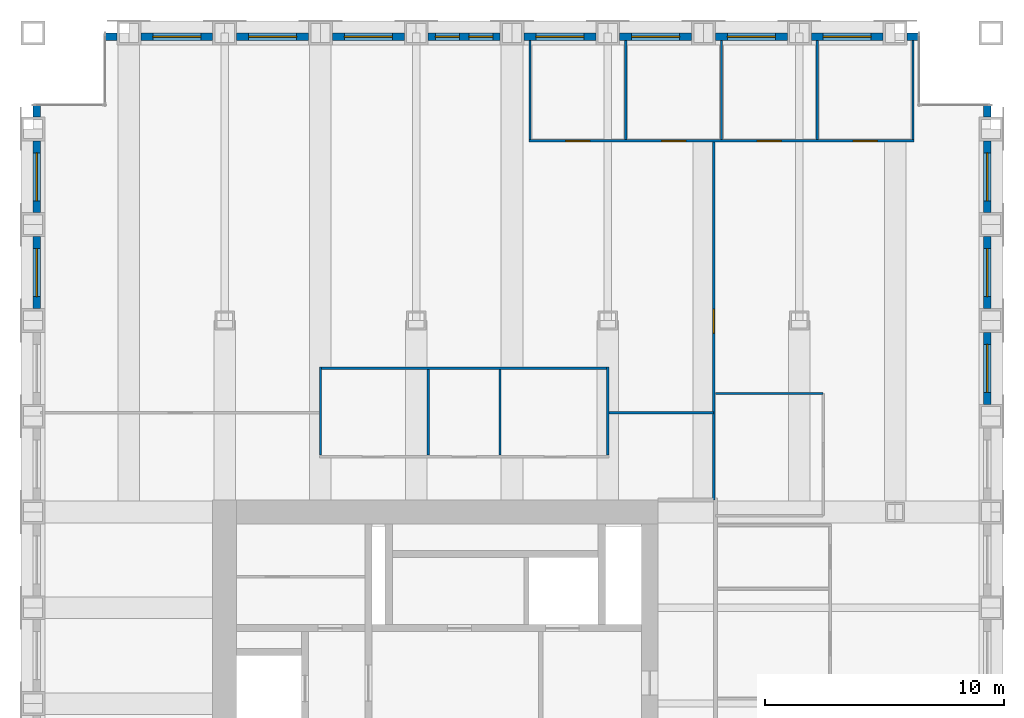
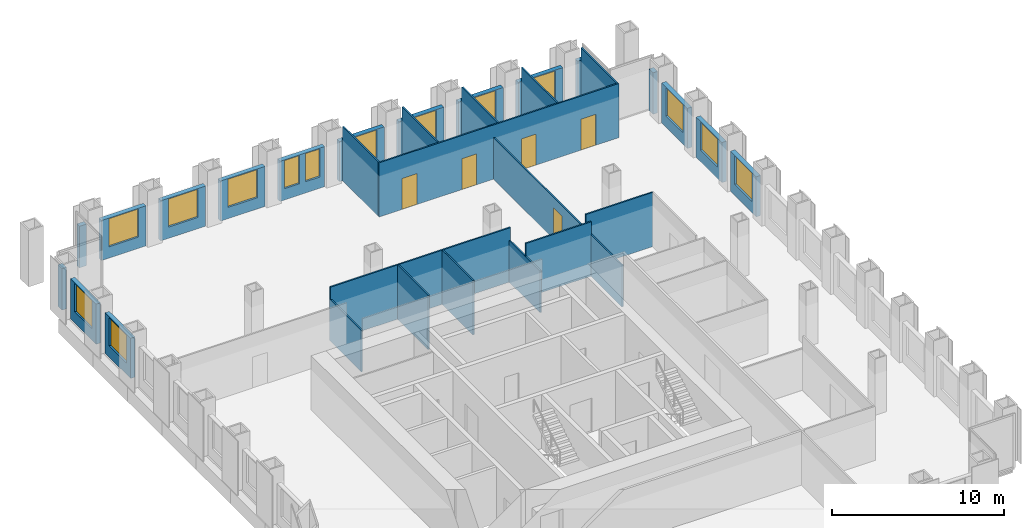
# One storey, part 11 of 13: 31 walls, 14 windows, 5 doors, 19 openings.
"""IFC4 building model written with IfcOpenShell, lengths in metres."""

from ifc_helpers import new_model, si_unit, direction, frame, frame_2d, origin, place, context, subcontext, project, spatial, rectangle, extrude, material, layer, layer_set, type_object, element, fill, save


model = new_model("IFC4")

# Units and contexts
model_context = context("Model", 3, precision=1e-05, world=origin(), true_north=direction((0.0, 1.0)))
body_context = subcontext(model_context, "Body", "Model", "MODEL_VIEW")
ifc_project = project(units=[si_unit("LENGTHUNIT", "METRE"), si_unit("AREAUNIT", "SQUARE_METRE"), si_unit("VOLUMEUNIT", "CUBIC_METRE"), si_unit("PLANEANGLEUNIT", "RADIAN"), si_unit("MASSUNIT", "GRAM", prefix="KILO")], contexts=[model_context])

# Site, building, storey
site_placement = place(None, origin())
site = spatial("IfcSite", under=ifc_project, at=site_placement, CompositionType="ELEMENT")
building_placement = place(site_placement, origin())
building = spatial("IfcBuilding", under=site, at=building_placement, Name="Rimbunsela Tower", CompositionType="ELEMENT")
storey_placement = place(building_placement, frame((0.0, 0.0, 218.199951171875)))
storey = spatial("IfcBuildingStorey", under=building, at=storey_placement, Name="L52", CompositionType="ELEMENT", Elevation=218.199951171875)

# Wall, openings, doors
ifc_material_1 = material(Name="Gypsum board on steel studs", Category="steel")
ifc_layer_1 = layer(ifc_material_1, 0.10009765625)
ifc_layer_set_1 = layer_set([ifc_layer_1], Name="Office partition 100")
wall_type_1 = type_object("IfcWallType", Name="Office partition 100", PredefinedType="PARTITIONING", material=ifc_layer_set_1)
wall_1_placement = place(storey_placement, frame((30.699951171875, 51.5, 0.0), z_axis=(0.0, 0.0, 1.0), x_axis=(1.0, 0.0, 0.0)))
wall_1 = element("IfcWall", 1, at=wall_1_placement, inside=storey, type_object=wall_type_1, Name="Office partition", PredefinedType="PARTITIONING", context=body_context, shape_type="SweptSolid", body=[
    extrude(rectangle(XDim=16.10009765625, YDim=0.10009765625, at=frame_2d((8.050048828125, 0.0))), origin(), (0.0, 0.0, 1.0), 3.85009765625),
])
opening_1_placement = place(wall_1_placement, frame((1.550048828125, 0.0, 0.0)))
opening_1 = element("IfcOpeningElement", 2, at=opening_1_placement, cuts=wall_1, Name="Opening D16", PredefinedType="OPENING", context=body_context, shape_type="SweptSolid", body=[
    extrude(rectangle(XDim=1.0, YDim=2.199951171875, at=frame_2d((0.5, 1.10009765625))), frame((0.0, 0.06005859375, 0.0), z_axis=(0.0, -1.0, 0.0), x_axis=(1.0, 0.0, 0.0)), (0.0, 0.0, 1.0), 0.1201171875),
])
opening_2_placement = place(wall_1_placement, frame((5.550048828125, 0.0, 0.0)))
opening_2 = element("IfcOpeningElement", 3, at=opening_2_placement, cuts=wall_1, Name="Opening D16", PredefinedType="OPENING", context=body_context, shape_type="SweptSolid", body=[
    extrude(rectangle(XDim=1.0, YDim=2.199951171875, at=frame_2d((0.5, 1.10009765625))), frame((0.0, 0.06005859375, 0.0), z_axis=(0.0, -1.0, 0.0), x_axis=(1.0, 0.0, 0.0)), (0.0, 0.0, 1.0), 0.1201171875),
])
opening_3_placement = place(wall_1_placement, frame((9.550048828125, 0.0, 0.0)))
opening_3 = element("IfcOpeningElement", 4, at=opening_3_placement, cuts=wall_1, Name="Opening D16", PredefinedType="OPENING", context=body_context, shape_type="SweptSolid", body=[
    extrude(rectangle(XDim=1.0, YDim=2.199951171875, at=frame_2d((0.5, 1.10009765625))), frame((0.0, 0.06005859375, 0.0), z_axis=(0.0, -1.0, 0.0), x_axis=(1.0, 0.0, 0.0)), (0.0, 0.0, 1.0), 0.1201171875),
])
opening_4_placement = place(wall_1_placement, frame((13.550048828125, 0.0, 0.0)))
opening_4 = element("IfcOpeningElement", 5, at=opening_4_placement, cuts=wall_1, Name="Opening D16", PredefinedType="OPENING", context=body_context, shape_type="SweptSolid", body=[
    extrude(rectangle(XDim=1.0, YDim=2.199951171875, at=frame_2d((0.5, 1.10009765625))), frame((0.0, 0.06005859375, 0.0), z_axis=(0.0, -1.0, 0.0), x_axis=(1.0, 0.0, 0.0)), (0.0, 0.0, 1.0), 0.1201171875),
])
ifc_material_2 = material(Name="Timber door", Category="wood")
door_type_1 = type_object("IfcDoorType", Name="Office door 1000", OperationType="SINGLE_SWING_LEFT", PredefinedType="DOOR", material=ifc_material_2)
door_1_placement = place(opening_1_placement, origin())
door_1 = element("IfcDoor", 6, at=door_1_placement, inside=storey, type_object=door_type_1, Name="Office door", OperationType="SINGLE_SWING_LEFT", OverallHeight=2.199951171875, OverallWidth=1.0, PredefinedType="DOOR", context=body_context, shape_type="SweptSolid", body=[
    extrude(rectangle(XDim=1.0, YDim=2.199951171875, at=frame_2d((0.5, 1.10009765625))), frame((0.0, 0.02490234375, 0.0), z_axis=(0.0, -1.0, 0.0), x_axis=(1.0, 0.0, 0.0)), (0.0, 0.0, 1.0), 0.050048828125),
])
fill(opening_1, door_1)
door_2_placement = place(opening_2_placement, origin())
door_2 = element("IfcDoor", 7, at=door_2_placement, inside=storey, type_object=door_type_1, Name="Office door", OperationType="SINGLE_SWING_LEFT", OverallHeight=2.199951171875, OverallWidth=1.0, PredefinedType="DOOR", context=body_context, shape_type="SweptSolid", body=[
    extrude(rectangle(XDim=1.0, YDim=2.199951171875, at=frame_2d((0.5, 1.10009765625))), frame((0.0, 0.02490234375, 0.0), z_axis=(0.0, -1.0, 0.0), x_axis=(1.0, 0.0, 0.0)), (0.0, 0.0, 1.0), 0.050048828125),
])
fill(opening_2, door_2)
door_3_placement = place(opening_3_placement, origin())
door_3 = element("IfcDoor", 8, at=door_3_placement, inside=storey, type_object=door_type_1, Name="Office door", OperationType="SINGLE_SWING_LEFT", OverallHeight=2.199951171875, OverallWidth=1.0, PredefinedType="DOOR", context=body_context, shape_type="SweptSolid", body=[
    extrude(rectangle(XDim=1.0, YDim=2.199951171875, at=frame_2d((0.5, 1.10009765625))), frame((0.0, 0.02490234375, 0.0), z_axis=(0.0, -1.0, 0.0), x_axis=(1.0, 0.0, 0.0)), (0.0, 0.0, 1.0), 0.050048828125),
])
fill(opening_3, door_3)
door_4_placement = place(opening_4_placement, origin())
door_4 = element("IfcDoor", 9, at=door_4_placement, inside=storey, type_object=door_type_1, Name="Office door", OperationType="SINGLE_SWING_LEFT", OverallHeight=2.199951171875, OverallWidth=1.0, PredefinedType="DOOR", context=body_context, shape_type="SweptSolid", body=[
    extrude(rectangle(XDim=1.0, YDim=2.199951171875, at=frame_2d((0.5, 1.10009765625))), frame((0.0, 0.02490234375, 0.0), z_axis=(0.0, -1.0, 0.0), x_axis=(1.0, 0.0, 0.0)), (0.0, 0.0, 1.0), 0.050048828125),
])
fill(opening_4, door_4)

# Walls
for number, where, z_axis, x_axis, name in (
    (10, (30.75, 51.550048828125, 0.0), (0.0, 0.0, 1.0), (0.0, 1.0, 0.0), "Office partition"),
    (11, (34.75, 51.550048828125, 0.0), (0.0, 0.0, 1.0), (0.0, 1.0, 0.0), "Office partition"),
    (12, (38.75, 51.550048828125, 0.0), (0.0, 0.0, 1.0), (0.0, 1.0, 0.0), "Office partition"),
    (13, (42.75, 51.550048828125, 0.0), (0.0, 0.0, 1.0), (0.0, 1.0, 0.0), "Office partition"),
    (14, (46.75, 51.550048828125, 0.0), (0.0, 0.0, 1.0), (0.0, 1.0, 0.0), "Office partition"),
):
    element("IfcWall", number, at=place(storey_placement, frame(where, z_axis=z_axis, x_axis=x_axis)), inside=storey, type_object=wall_type_1, Name=name, PredefinedType="PARTITIONING", context=body_context, shape_type="SweptSolid", body=[
        extrude(rectangle(XDim=4.14990234375, YDim=0.10009765625, at=frame_2d((2.074951171875, 0.0))), origin(), (0.0, 0.0, 1.0), 3.85009765625),
    ])

# Wall, opening, door
wall_2_placement = place(storey_placement, frame((38.425048828125, 51.449951171875, 0.0), z_axis=(0.0, 0.0, 1.0), x_axis=(0.0, -1.0, 0.0)))
wall_2 = element("IfcWall", 15, at=wall_2_placement, inside=storey, type_object=wall_type_1, Name="Office partition", PredefinedType="PARTITIONING", context=body_context, shape_type="SweptSolid", body=[
    extrude(rectangle(XDim=14.949951171875, YDim=0.10009765625, at=frame_2d((7.47509765625, 0.0))), origin(), (0.0, 0.0, 1.0), 2.949951171875),
])
opening_5_placement = place(wall_2_placement, frame((6.97509765625, 0.0, 0.0)))
opening_5 = element("IfcOpeningElement", 16, at=opening_5_placement, cuts=wall_2, Name="Opening D17", PredefinedType="OPENING", context=body_context, shape_type="SweptSolid", body=[
    extrude(rectangle(XDim=1.0, YDim=2.199951171875, at=frame_2d((0.5, 1.10009765625))), frame((0.0, 0.06005859375, 0.0), z_axis=(0.0, -1.0, 0.0), x_axis=(1.0, 0.0, 0.0)), (0.0, 0.0, 1.0), 0.1201171875),
])
ifc_material_3 = material(Name="Glazed aluminium door", Category="aluminium")
door_type_2 = type_object("IfcDoorType", Name="Meeting room door 1000 glazed", OperationType="SINGLE_SWING_RIGHT", PredefinedType="DOOR", material=ifc_material_3)
door_5_placement = place(opening_5_placement, origin())
door_5 = element("IfcDoor", 17, at=door_5_placement, inside=storey, type_object=door_type_2, Name="Open office screen door", OperationType="SINGLE_SWING_RIGHT", OverallHeight=2.199951171875, OverallWidth=1.0, PredefinedType="DOOR", context=body_context, shape_type="SweptSolid", body=[
    extrude(rectangle(XDim=1.0, YDim=2.199951171875, at=frame_2d((0.5, 1.10009765625))), frame((0.0, 0.02490234375, 0.0), z_axis=(0.0, -1.0, 0.0), x_axis=(1.0, 0.0, 0.0)), (0.0, 0.0, 1.0), 0.050048828125),
])
fill(opening_5, door_5)

# Walls
wall_3_placement = place(storey_placement, frame((34.0, 40.14990234375, 0.0), z_axis=(0.0, 0.0, 1.0), x_axis=(1.0, 0.0, 0.0)))
element("IfcWall", 18, at=wall_3_placement, inside=storey, type_object=wall_type_1, Name="Office partition", PredefinedType="PARTITIONING", context=body_context, shape_type="SweptSolid", body=[
    extrude(rectangle(XDim=4.425048828125, YDim=0.10009765625, at=frame_2d((2.21240234375, 0.0))), origin(), (0.0, 0.0, 1.0), 3.85009765625),
])
wall_4_placement = place(storey_placement, frame((43.0, 40.949951171875, 0.0), z_axis=(0.0, 0.0, 1.0), x_axis=(-1.0, 0.0, 0.0)))
element("IfcWall", 19, at=wall_4_placement, inside=storey, type_object=wall_type_1, Name="Office partition", PredefinedType="PARTITIONING", context=body_context, shape_type="SweptSolid", body=[
    extrude(rectangle(XDim=4.5, YDim=0.10009765625, at=frame_2d((2.25, 0.0))), origin(), (0.0, 0.0, 1.0), 3.85009765625),
])

# Wall, opening, window
ifc_material_4 = material(Name="Precast concrete fc' 35 MPa", Category="concrete")
ifc_layer_2 = layer(ifc_material_4, 0.300048828125)
ifc_layer_set_2 = layer_set([ifc_layer_2], Name="Precast concrete fc' 35 MPa")
wall_type_2 = type_object("IfcWallType", Name="Precast facade panel 300", PredefinedType="ELEMENTEDWALL", material=ifc_layer_set_2)
wall_5_placement = place(storey_placement, frame((49.85009765625, 40.5, 0.0), z_axis=(0.0, 0.0, 1.0), x_axis=(0.0, 1.0, 0.0)))
wall_5 = element("IfcWall", 20, at=wall_5_placement, inside=storey, type_object=wall_type_2, Name="Facade panel E L52", PredefinedType="ELEMENTEDWALL", context=body_context, shape_type="SweptSolid", body=[
    extrude(rectangle(XDim=3.0, YDim=0.300048828125, at=frame_2d((1.5, 0.0))), origin(), (0.0, 0.0, 1.0), 2.85009765625),
])
opening_6_placement = place(wall_5_placement, frame((0.5, 0.0, 0.800048828125)))
opening_6 = element("IfcOpeningElement", 21, at=opening_6_placement, cuts=wall_5, Name="Opening W1", PredefinedType="OPENING", context=body_context, shape_type="SweptSolid", body=[
    extrude(rectangle(XDim=2.0, YDim=2.0, at=frame_2d((1.0, 1.0))), frame((0.0, 0.159912109375, 0.0), z_axis=(0.0, -1.0, 0.0), x_axis=(1.0, 0.0, 0.0)), (0.0, 0.0, 1.0), 0.320068359375),
])
ifc_material_5 = material(Name="Clear glass in aluminium frame", Category="aluminium")
window_type_1 = type_object("IfcWindowType", Name="Window W1 2000x2000", PartitioningType="DOUBLE_PANEL_VERTICAL", PredefinedType="WINDOW", material=ifc_material_5)
window_1_placement = place(opening_6_placement, origin())
window_1 = element("IfcWindow", 22, at=window_1_placement, inside=storey, type_object=window_type_1, Name="Window L52", OverallHeight=2.0, OverallWidth=2.0, PartitioningType="SINGLE_PANEL", PredefinedType="WINDOW", context=body_context, shape_type="SweptSolid", body=[
    extrude(rectangle(XDim=2.0, YDim=2.0, at=frame_2d((1.0, 1.0))), frame((0.0, 0.030029296875, 0.0), z_axis=(0.0, -1.0, 0.0), x_axis=(1.0, 0.0, 0.0)), (0.0, 0.0, 1.0), 0.06005859375),
])
fill(opening_6, window_1)

wall_6_placement = place(storey_placement, frame((49.85009765625, 44.5, 0.0), z_axis=(0.0, 0.0, 1.0), x_axis=(0.0, 1.0, 0.0)))
wall_6 = element("IfcWall", 23, at=wall_6_placement, inside=storey, type_object=wall_type_2, Name="Facade panel E L52", PredefinedType="ELEMENTEDWALL", context=body_context, shape_type="SweptSolid", body=[
    extrude(rectangle(XDim=3.0, YDim=0.300048828125, at=frame_2d((1.5, 0.0))), origin(), (0.0, 0.0, 1.0), 2.85009765625),
])
opening_7_placement = place(wall_6_placement, frame((0.5, 0.0, 0.800048828125)))
opening_7 = element("IfcOpeningElement", 24, at=opening_7_placement, cuts=wall_6, Name="Opening W1", PredefinedType="OPENING", context=body_context, shape_type="SweptSolid", body=[
    extrude(rectangle(XDim=2.0, YDim=2.0, at=frame_2d((1.0, 1.0))), frame((0.0, 0.159912109375, 0.0), z_axis=(0.0, -1.0, 0.0), x_axis=(1.0, 0.0, 0.0)), (0.0, 0.0, 1.0), 0.320068359375),
])
window_2_placement = place(opening_7_placement, origin())
window_2 = element("IfcWindow", 25, at=window_2_placement, inside=storey, type_object=window_type_1, Name="Window L52", OverallHeight=2.0, OverallWidth=2.0, PartitioningType="SINGLE_PANEL", PredefinedType="WINDOW", context=body_context, shape_type="SweptSolid", body=[
    extrude(rectangle(XDim=2.0, YDim=2.0, at=frame_2d((1.0, 1.0))), frame((0.0, 0.030029296875, 0.0), z_axis=(0.0, -1.0, 0.0), x_axis=(1.0, 0.0, 0.0)), (0.0, 0.0, 1.0), 0.06005859375),
])
fill(opening_7, window_2)

wall_7_placement = place(storey_placement, frame((49.85009765625, 48.5, 0.0), z_axis=(0.0, 0.0, 1.0), x_axis=(0.0, 1.0, 0.0)))
wall_7 = element("IfcWall", 26, at=wall_7_placement, inside=storey, type_object=wall_type_2, Name="Facade panel E L52", PredefinedType="ELEMENTEDWALL", context=body_context, shape_type="SweptSolid", body=[
    extrude(rectangle(XDim=3.0, YDim=0.300048828125, at=frame_2d((1.5, 0.0))), origin(), (0.0, 0.0, 1.0), 2.85009765625),
])
opening_8_placement = place(wall_7_placement, frame((0.5, 0.0, 0.800048828125)))
opening_8 = element("IfcOpeningElement", 27, at=opening_8_placement, cuts=wall_7, Name="Opening W1", PredefinedType="OPENING", context=body_context, shape_type="SweptSolid", body=[
    extrude(rectangle(XDim=2.0, YDim=2.0, at=frame_2d((1.0, 1.0))), frame((0.0, 0.159912109375, 0.0), z_axis=(0.0, -1.0, 0.0), x_axis=(1.0, 0.0, 0.0)), (0.0, 0.0, 1.0), 0.320068359375),
])
window_3_placement = place(opening_8_placement, origin())
window_3 = element("IfcWindow", 28, at=window_3_placement, inside=storey, type_object=window_type_1, Name="Window L52", OverallHeight=2.0, OverallWidth=2.0, PartitioningType="SINGLE_PANEL", PredefinedType="WINDOW", context=body_context, shape_type="SweptSolid", body=[
    extrude(rectangle(XDim=2.0, YDim=2.0, at=frame_2d((1.0, 1.0))), frame((0.0, 0.030029296875, 0.0), z_axis=(0.0, -1.0, 0.0), x_axis=(1.0, 0.0, 0.0)), (0.0, 0.0, 1.0), 0.06005859375),
])
fill(opening_8, window_3)

# Walls
for number, where, z_axis, x_axis, name in (
    (29, (49.85009765625, 52.5, 0.0), (0.0, 0.0, 1.0), (0.0, 1.0, 0.0), "Facade panel E L52"),
    (30, (13.5, 55.85009765625, 0.0), (0.0, 0.0, 1.0), (-1.0, 0.0, 0.0), "Facade panel N L52"),
):
    element("IfcWall", number, at=place(storey_placement, frame(where, z_axis=z_axis, x_axis=x_axis)), inside=storey, type_object=wall_type_2, Name=name, PredefinedType="ELEMENTEDWALL", context=body_context, shape_type="SweptSolid", body=[
        extrude(rectangle(XDim=0.469970703125, YDim=0.300048828125, at=frame_2d((0.23486328125, 0.0))), origin(), (0.0, 0.0, 1.0), 2.949951171875),
    ])

# Wall, opening, window
wall_8_placement = place(storey_placement, frame((17.5, 55.85009765625, 0.0), z_axis=(0.0, 0.0, 1.0), x_axis=(-1.0, 0.0, 0.0)))
wall_8 = element("IfcWall", 31, at=wall_8_placement, inside=storey, type_object=wall_type_2, Name="Facade panel N L52", PredefinedType="ELEMENTEDWALL", context=body_context, shape_type="SweptSolid", body=[
    extrude(rectangle(XDim=3.0, YDim=0.300048828125, at=frame_2d((1.5, 0.0))), origin(), (0.0, 0.0, 1.0), 2.85009765625),
])
opening_9_placement = place(wall_8_placement, frame((0.5, 0.0, 0.800048828125)))
opening_9 = element("IfcOpeningElement", 32, at=opening_9_placement, cuts=wall_8, Name="Opening W1", PredefinedType="OPENING", context=body_context, shape_type="SweptSolid", body=[
    extrude(rectangle(XDim=2.0, YDim=2.0, at=frame_2d((1.0, 1.0))), frame((0.0, 0.159912109375, 0.0), z_axis=(0.0, -1.0, 0.0), x_axis=(1.0, 0.0, 0.0)), (0.0, 0.0, 1.0), 0.320068359375),
])
window_4_placement = place(opening_9_placement, origin())
window_4 = element("IfcWindow", 33, at=window_4_placement, inside=storey, type_object=window_type_1, Name="Window L52", OverallHeight=2.0, OverallWidth=2.0, PartitioningType="SINGLE_PANEL", PredefinedType="WINDOW", context=body_context, shape_type="SweptSolid", body=[
    extrude(rectangle(XDim=2.0, YDim=2.0, at=frame_2d((1.0, 1.0))), frame((0.0, 0.030029296875, 0.0), z_axis=(0.0, -1.0, 0.0), x_axis=(1.0, 0.0, 0.0)), (0.0, 0.0, 1.0), 0.06005859375),
])
fill(opening_9, window_4)

wall_9_placement = place(storey_placement, frame((21.5, 55.85009765625, 0.0), z_axis=(0.0, 0.0, 1.0), x_axis=(-1.0, 0.0, 0.0)))
wall_9 = element("IfcWall", 34, at=wall_9_placement, inside=storey, type_object=wall_type_2, Name="Facade panel N L52", PredefinedType="ELEMENTEDWALL", context=body_context, shape_type="SweptSolid", body=[
    extrude(rectangle(XDim=3.0, YDim=0.300048828125, at=frame_2d((1.5, 0.0))), origin(), (0.0, 0.0, 1.0), 2.85009765625),
])
opening_10_placement = place(wall_9_placement, frame((0.5, 0.0, 0.800048828125)))
opening_10 = element("IfcOpeningElement", 35, at=opening_10_placement, cuts=wall_9, Name="Opening W1", PredefinedType="OPENING", context=body_context, shape_type="SweptSolid", body=[
    extrude(rectangle(XDim=2.0, YDim=2.0, at=frame_2d((1.0, 1.0))), frame((0.0, 0.159912109375, 0.0), z_axis=(0.0, -1.0, 0.0), x_axis=(1.0, 0.0, 0.0)), (0.0, 0.0, 1.0), 0.320068359375),
])
window_5_placement = place(opening_10_placement, origin())
window_5 = element("IfcWindow", 36, at=window_5_placement, inside=storey, type_object=window_type_1, Name="Window L52", OverallHeight=2.0, OverallWidth=2.0, PartitioningType="SINGLE_PANEL", PredefinedType="WINDOW", context=body_context, shape_type="SweptSolid", body=[
    extrude(rectangle(XDim=2.0, YDim=2.0, at=frame_2d((1.0, 1.0))), frame((0.0, 0.030029296875, 0.0), z_axis=(0.0, -1.0, 0.0), x_axis=(1.0, 0.0, 0.0)), (0.0, 0.0, 1.0), 0.06005859375),
])
fill(opening_10, window_5)

wall_10_placement = place(storey_placement, frame((25.5, 55.85009765625, 0.0), z_axis=(0.0, 0.0, 1.0), x_axis=(-1.0, 0.0, 0.0)))
wall_10 = element("IfcWall", 37, at=wall_10_placement, inside=storey, type_object=wall_type_2, Name="Facade panel N L52", PredefinedType="ELEMENTEDWALL", context=body_context, shape_type="SweptSolid", body=[
    extrude(rectangle(XDim=3.0, YDim=0.300048828125, at=frame_2d((1.5, 0.0))), origin(), (0.0, 0.0, 1.0), 2.85009765625),
])
opening_11_placement = place(wall_10_placement, frame((0.5, 0.0, 0.800048828125)))
opening_11 = element("IfcOpeningElement", 38, at=opening_11_placement, cuts=wall_10, Name="Opening W1", PredefinedType="OPENING", context=body_context, shape_type="SweptSolid", body=[
    extrude(rectangle(XDim=2.0, YDim=2.0, at=frame_2d((1.0, 1.0))), frame((0.0, 0.159912109375, 0.0), z_axis=(0.0, -1.0, 0.0), x_axis=(1.0, 0.0, 0.0)), (0.0, 0.0, 1.0), 0.320068359375),
])
window_6_placement = place(opening_11_placement, origin())
window_6 = element("IfcWindow", 39, at=window_6_placement, inside=storey, type_object=window_type_1, Name="Window L52", OverallHeight=2.0, OverallWidth=2.0, PartitioningType="SINGLE_PANEL", PredefinedType="WINDOW", context=body_context, shape_type="SweptSolid", body=[
    extrude(rectangle(XDim=2.0, YDim=2.0, at=frame_2d((1.0, 1.0))), frame((0.0, 0.030029296875, 0.0), z_axis=(0.0, -1.0, 0.0), x_axis=(1.0, 0.0, 0.0)), (0.0, 0.0, 1.0), 0.06005859375),
])
fill(opening_11, window_6)

# Wall, openings, windows
wall_11_placement = place(storey_placement, frame((29.5, 55.85009765625, 0.0), z_axis=(0.0, 0.0, 1.0), x_axis=(-1.0, 0.0, 0.0)))
wall_11 = element("IfcWall", 40, at=wall_11_placement, inside=storey, type_object=wall_type_2, Name="Facade panel N L52", PredefinedType="ELEMENTEDWALL", context=body_context, shape_type="SweptSolid", body=[
    extrude(rectangle(XDim=3.0, YDim=0.300048828125, at=frame_2d((1.5, 0.0))), origin(), (0.0, 0.0, 1.0), 2.85009765625),
])
opening_12_placement = place(wall_11_placement, frame((1.699951171875, 0.0, 0.800048828125)))
opening_12 = element("IfcOpeningElement", 41, at=opening_12_placement, cuts=wall_11, Name="Opening W5", PredefinedType="OPENING", context=body_context, shape_type="SweptSolid", body=[
    extrude(rectangle(XDim=1.0, YDim=2.0, at=frame_2d((0.5, 1.0))), frame((0.0, 0.159912109375, 0.0), z_axis=(0.0, -1.0, 0.0), x_axis=(1.0, 0.0, 0.0)), (0.0, 0.0, 1.0), 0.320068359375),
])
opening_13_placement = place(wall_11_placement, frame((0.300048828125, 0.0, 0.800048828125)))
opening_13 = element("IfcOpeningElement", 42, at=opening_13_placement, cuts=wall_11, Name="Opening W5", PredefinedType="OPENING", context=body_context, shape_type="SweptSolid", body=[
    extrude(rectangle(XDim=1.0, YDim=2.0, at=frame_2d((0.5, 1.0))), frame((0.0, 0.159912109375, 0.0), z_axis=(0.0, -1.0, 0.0), x_axis=(1.0, 0.0, 0.0)), (0.0, 0.0, 1.0), 0.320068359375),
])
ifc_material_6 = material(Name="Clear glass in aluminium frame", Category="aluminium")
window_type_2 = type_object("IfcWindowType", Name="Window W5 1000x2000", PartitioningType="SINGLE_PANEL", PredefinedType="WINDOW", material=ifc_material_6)
window_7_placement = place(opening_12_placement, origin())
window_7 = element("IfcWindow", 43, at=window_7_placement, inside=storey, type_object=window_type_2, Name="Window L52", OverallHeight=2.0, OverallWidth=1.0, PartitioningType="SINGLE_PANEL", PredefinedType="WINDOW", context=body_context, shape_type="SweptSolid", body=[
    extrude(rectangle(XDim=1.0, YDim=2.0, at=frame_2d((0.5, 1.0))), frame((0.0, 0.030029296875, 0.0), z_axis=(0.0, -1.0, 0.0), x_axis=(1.0, 0.0, 0.0)), (0.0, 0.0, 1.0), 0.06005859375),
])
fill(opening_12, window_7)
window_8_placement = place(opening_13_placement, origin())
window_8 = element("IfcWindow", 44, at=window_8_placement, inside=storey, type_object=window_type_2, Name="Window L52", OverallHeight=2.0, OverallWidth=1.0, PartitioningType="SINGLE_PANEL", PredefinedType="WINDOW", context=body_context, shape_type="SweptSolid", body=[
    extrude(rectangle(XDim=1.0, YDim=2.0, at=frame_2d((0.5, 1.0))), frame((0.0, 0.030029296875, 0.0), z_axis=(0.0, -1.0, 0.0), x_axis=(1.0, 0.0, 0.0)), (0.0, 0.0, 1.0), 0.06005859375),
])
fill(opening_13, window_8)

# Wall, opening, window
wall_12_placement = place(storey_placement, frame((33.5, 55.85009765625, 0.0), z_axis=(0.0, 0.0, 1.0), x_axis=(-1.0, 0.0, 0.0)))
wall_12 = element("IfcWall", 45, at=wall_12_placement, inside=storey, type_object=wall_type_2, Name="Facade panel N L52", PredefinedType="ELEMENTEDWALL", context=body_context, shape_type="SweptSolid", body=[
    extrude(rectangle(XDim=3.0, YDim=0.300048828125, at=frame_2d((1.5, 0.0))), origin(), (0.0, 0.0, 1.0), 2.85009765625),
])
opening_14_placement = place(wall_12_placement, frame((0.5, 0.0, 0.800048828125)))
opening_14 = element("IfcOpeningElement", 46, at=opening_14_placement, cuts=wall_12, Name="Opening W1", PredefinedType="OPENING", context=body_context, shape_type="SweptSolid", body=[
    extrude(rectangle(XDim=2.0, YDim=2.0, at=frame_2d((1.0, 1.0))), frame((0.0, 0.159912109375, 0.0), z_axis=(0.0, -1.0, 0.0), x_axis=(1.0, 0.0, 0.0)), (0.0, 0.0, 1.0), 0.320068359375),
])
window_9_placement = place(opening_14_placement, origin())
window_9 = element("IfcWindow", 47, at=window_9_placement, inside=storey, type_object=window_type_1, Name="Window L52", OverallHeight=2.0, OverallWidth=2.0, PartitioningType="SINGLE_PANEL", PredefinedType="WINDOW", context=body_context, shape_type="SweptSolid", body=[
    extrude(rectangle(XDim=2.0, YDim=2.0, at=frame_2d((1.0, 1.0))), frame((0.0, 0.030029296875, 0.0), z_axis=(0.0, -1.0, 0.0), x_axis=(1.0, 0.0, 0.0)), (0.0, 0.0, 1.0), 0.06005859375),
])
fill(opening_14, window_9)

wall_13_placement = place(storey_placement, frame((37.5, 55.85009765625, 0.0), z_axis=(0.0, 0.0, 1.0), x_axis=(-1.0, 0.0, 0.0)))
wall_13 = element("IfcWall", 48, at=wall_13_placement, inside=storey, type_object=wall_type_2, Name="Facade panel N L52", PredefinedType="ELEMENTEDWALL", context=body_context, shape_type="SweptSolid", body=[
    extrude(rectangle(XDim=3.0, YDim=0.300048828125, at=frame_2d((1.5, 0.0))), origin(), (0.0, 0.0, 1.0), 2.85009765625),
])
opening_15_placement = place(wall_13_placement, frame((0.5, 0.0, 0.800048828125)))
opening_15 = element("IfcOpeningElement", 49, at=opening_15_placement, cuts=wall_13, Name="Opening W1", PredefinedType="OPENING", context=body_context, shape_type="SweptSolid", body=[
    extrude(rectangle(XDim=2.0, YDim=2.0, at=frame_2d((1.0, 1.0))), frame((0.0, 0.159912109375, 0.0), z_axis=(0.0, -1.0, 0.0), x_axis=(1.0, 0.0, 0.0)), (0.0, 0.0, 1.0), 0.320068359375),
])
window_10_placement = place(opening_15_placement, origin())
window_10 = element("IfcWindow", 50, at=window_10_placement, inside=storey, type_object=window_type_1, Name="Window L52", OverallHeight=2.0, OverallWidth=2.0, PartitioningType="SINGLE_PANEL", PredefinedType="WINDOW", context=body_context, shape_type="SweptSolid", body=[
    extrude(rectangle(XDim=2.0, YDim=2.0, at=frame_2d((1.0, 1.0))), frame((0.0, 0.030029296875, 0.0), z_axis=(0.0, -1.0, 0.0), x_axis=(1.0, 0.0, 0.0)), (0.0, 0.0, 1.0), 0.06005859375),
])
fill(opening_15, window_10)

wall_14_placement = place(storey_placement, frame((41.5, 55.85009765625, 0.0), z_axis=(0.0, 0.0, 1.0), x_axis=(-1.0, 0.0, 0.0)))
wall_14 = element("IfcWall", 51, at=wall_14_placement, inside=storey, type_object=wall_type_2, Name="Facade panel N L52", PredefinedType="ELEMENTEDWALL", context=body_context, shape_type="SweptSolid", body=[
    extrude(rectangle(XDim=3.0, YDim=0.300048828125, at=frame_2d((1.5, 0.0))), origin(), (0.0, 0.0, 1.0), 2.85009765625),
])
opening_16_placement = place(wall_14_placement, frame((0.5, 0.0, 0.800048828125)))
opening_16 = element("IfcOpeningElement", 52, at=opening_16_placement, cuts=wall_14, Name="Opening W1", PredefinedType="OPENING", context=body_context, shape_type="SweptSolid", body=[
    extrude(rectangle(XDim=2.0, YDim=2.0, at=frame_2d((1.0, 1.0))), frame((0.0, 0.159912109375, 0.0), z_axis=(0.0, -1.0, 0.0), x_axis=(1.0, 0.0, 0.0)), (0.0, 0.0, 1.0), 0.320068359375),
])
window_11_placement = place(opening_16_placement, origin())
window_11 = element("IfcWindow", 53, at=window_11_placement, inside=storey, type_object=window_type_1, Name="Window L52", OverallHeight=2.0, OverallWidth=2.0, PartitioningType="SINGLE_PANEL", PredefinedType="WINDOW", context=body_context, shape_type="SweptSolid", body=[
    extrude(rectangle(XDim=2.0, YDim=2.0, at=frame_2d((1.0, 1.0))), frame((0.0, 0.030029296875, 0.0), z_axis=(0.0, -1.0, 0.0), x_axis=(1.0, 0.0, 0.0)), (0.0, 0.0, 1.0), 0.06005859375),
])
fill(opening_16, window_11)

wall_15_placement = place(storey_placement, frame((45.5, 55.85009765625, 0.0), z_axis=(0.0, 0.0, 1.0), x_axis=(-1.0, 0.0, 0.0)))
wall_15 = element("IfcWall", 54, at=wall_15_placement, inside=storey, type_object=wall_type_2, Name="Facade panel N L52", PredefinedType="ELEMENTEDWALL", context=body_context, shape_type="SweptSolid", body=[
    extrude(rectangle(XDim=3.0, YDim=0.300048828125, at=frame_2d((1.5, 0.0))), origin(), (0.0, 0.0, 1.0), 2.85009765625),
])
opening_17_placement = place(wall_15_placement, frame((0.5, 0.0, 0.800048828125)))
opening_17 = element("IfcOpeningElement", 55, at=opening_17_placement, cuts=wall_15, Name="Opening W1", PredefinedType="OPENING", context=body_context, shape_type="SweptSolid", body=[
    extrude(rectangle(XDim=2.0, YDim=2.0, at=frame_2d((1.0, 1.0))), frame((0.0, 0.159912109375, 0.0), z_axis=(0.0, -1.0, 0.0), x_axis=(1.0, 0.0, 0.0)), (0.0, 0.0, 1.0), 0.320068359375),
])
window_12_placement = place(opening_17_placement, origin())
window_12 = element("IfcWindow", 56, at=window_12_placement, inside=storey, type_object=window_type_1, Name="Window L52", OverallHeight=2.0, OverallWidth=2.0, PartitioningType="SINGLE_PANEL", PredefinedType="WINDOW", context=body_context, shape_type="SweptSolid", body=[
    extrude(rectangle(XDim=2.0, YDim=2.0, at=frame_2d((1.0, 1.0))), frame((0.0, 0.030029296875, 0.0), z_axis=(0.0, -1.0, 0.0), x_axis=(1.0, 0.0, 0.0)), (0.0, 0.0, 1.0), 0.06005859375),
])
fill(opening_17, window_12)

# Wall
wall_16_placement = place(storey_placement, frame((46.969970703125, 55.85009765625, 0.0), z_axis=(0.0, 0.0, 1.0), x_axis=(-1.0, 0.0, 0.0)))
element("IfcWall", 57, at=wall_16_placement, inside=storey, type_object=wall_type_2, Name="Facade panel N L52", PredefinedType="ELEMENTEDWALL", context=body_context, shape_type="SweptSolid", body=[
    extrude(rectangle(XDim=0.469970703125, YDim=0.300048828125, at=frame_2d((0.23486328125, 0.0))), origin(), (0.0, 0.0, 1.0), 2.949951171875),
])

# Wall, opening, window
wall_17_placement = place(storey_placement, frame((10.14990234375, 47.5, 0.0), z_axis=(0.0, 0.0, 1.0), x_axis=(0.0, -1.0, 0.0)))
wall_17 = element("IfcWall", 58, at=wall_17_placement, inside=storey, type_object=wall_type_2, Name="Facade panel W L52", PredefinedType="ELEMENTEDWALL", context=body_context, shape_type="SweptSolid", body=[
    extrude(rectangle(XDim=3.0, YDim=0.300048828125, at=frame_2d((1.5, 0.0))), origin(), (0.0, 0.0, 1.0), 2.85009765625),
])
opening_18_placement = place(wall_17_placement, frame((0.5, 0.0, 0.800048828125)))
opening_18 = element("IfcOpeningElement", 59, at=opening_18_placement, cuts=wall_17, Name="Opening W1", PredefinedType="OPENING", context=body_context, shape_type="SweptSolid", body=[
    extrude(rectangle(XDim=2.0, YDim=2.0, at=frame_2d((1.0, 1.0))), frame((0.0, 0.159912109375, 0.0), z_axis=(0.0, -1.0, 0.0), x_axis=(1.0, 0.0, 0.0)), (0.0, 0.0, 1.0), 0.320068359375),
])
window_13_placement = place(opening_18_placement, origin())
window_13 = element("IfcWindow", 60, at=window_13_placement, inside=storey, type_object=window_type_1, Name="Window L52", OverallHeight=2.0, OverallWidth=2.0, PartitioningType="SINGLE_PANEL", PredefinedType="WINDOW", context=body_context, shape_type="SweptSolid", body=[
    extrude(rectangle(XDim=2.0, YDim=2.0, at=frame_2d((1.0, 1.0))), frame((0.0, 0.030029296875, 0.0), z_axis=(0.0, -1.0, 0.0), x_axis=(1.0, 0.0, 0.0)), (0.0, 0.0, 1.0), 0.06005859375),
])
fill(opening_18, window_13)

wall_18_placement = place(storey_placement, frame((10.14990234375, 51.5, 0.0), z_axis=(0.0, 0.0, 1.0), x_axis=(0.0, -1.0, 0.0)))
wall_18 = element("IfcWall", 61, at=wall_18_placement, inside=storey, type_object=wall_type_2, Name="Facade panel W L52", PredefinedType="ELEMENTEDWALL", context=body_context, shape_type="SweptSolid", body=[
    extrude(rectangle(XDim=3.0, YDim=0.300048828125, at=frame_2d((1.5, 0.0))), origin(), (0.0, 0.0, 1.0), 2.85009765625),
])
opening_19_placement = place(wall_18_placement, frame((0.5, 0.0, 0.800048828125)))
opening_19 = element("IfcOpeningElement", 62, at=opening_19_placement, cuts=wall_18, Name="Opening W1", PredefinedType="OPENING", context=body_context, shape_type="SweptSolid", body=[
    extrude(rectangle(XDim=2.0, YDim=2.0, at=frame_2d((1.0, 1.0))), frame((0.0, 0.159912109375, 0.0), z_axis=(0.0, -1.0, 0.0), x_axis=(1.0, 0.0, 0.0)), (0.0, 0.0, 1.0), 0.320068359375),
])
window_14_placement = place(opening_19_placement, origin())
window_14 = element("IfcWindow", 63, at=window_14_placement, inside=storey, type_object=window_type_1, Name="Window L52", OverallHeight=2.0, OverallWidth=2.0, PartitioningType="SINGLE_PANEL", PredefinedType="WINDOW", context=body_context, shape_type="SweptSolid", body=[
    extrude(rectangle(XDim=2.0, YDim=2.0, at=frame_2d((1.0, 1.0))), frame((0.0, 0.030029296875, 0.0), z_axis=(0.0, -1.0, 0.0), x_axis=(1.0, 0.0, 0.0)), (0.0, 0.0, 1.0), 0.06005859375),
])
fill(opening_19, window_14)

# Walls
wall_19_placement = place(storey_placement, frame((10.14990234375, 52.969970703125, 0.0), z_axis=(0.0, 0.0, 1.0), x_axis=(0.0, -1.0, 0.0)))
element("IfcWall", 64, at=wall_19_placement, inside=storey, type_object=wall_type_2, Name="Facade panel W L52", PredefinedType="ELEMENTEDWALL", context=body_context, shape_type="SweptSolid", body=[
    extrude(rectangle(XDim=0.469970703125, YDim=0.300048828125, at=frame_2d((0.23486328125, 0.0))), origin(), (0.0, 0.0, 1.0), 2.949951171875),
])
ifc_material_7 = material(Name="Concrete blockwork", Category="masonry")
ifc_layer_3 = layer(ifc_material_7, 0.10009765625)
ifc_layer_set_3 = layer_set([ifc_layer_3], Name="Toilet partition 100")
wall_type_3 = type_object("IfcWallType", Name="Toilet partition 100", PredefinedType="PARTITIONING", material=ifc_layer_set_3)
for number, where, z_axis, x_axis, name in (
    (65, (22.0, 38.375, 0.0), (0.0, 0.0, 1.0), (0.0, 1.0, 0.0), "Toilet block wall west"),
    (66, (34.0, 38.375, 0.0), (0.0, 0.0, 1.0), (0.0, 1.0, 0.0), "Toilet block wall east"),
):
    element("IfcWall", number, at=place(storey_placement, frame(where, z_axis=z_axis, x_axis=x_axis)), inside=storey, type_object=wall_type_3, Name=name, PredefinedType="PARTITIONING", context=body_context, shape_type="SweptSolid", body=[
        extrude(rectangle(XDim=3.675048828125, YDim=0.10009765625, at=frame_2d((1.83740234375, 0.0))), origin(), (0.0, 0.0, 1.0), 2.949951171875),
    ])
wall_20_placement = place(storey_placement, frame((21.949951171875, 42.0, 0.0), z_axis=(0.0, 0.0, 1.0), x_axis=(1.0, 0.0, 0.0)))
element("IfcWall", 67, at=wall_20_placement, inside=storey, type_object=wall_type_3, Name="Toilet block wall north", PredefinedType="PARTITIONING", context=body_context, shape_type="SweptSolid", body=[
    extrude(rectangle(XDim=12.10009765625, YDim=0.10009765625, at=frame_2d((6.050048828125, 0.0))), origin(), (0.0, 0.0, 1.0), 3.85009765625),
])
for number, where, z_axis, x_axis, name in (
    (68, (26.5, 38.375, 0.0), (0.0, 0.0, 1.0), (0.0, 1.0, 0.0), "Toilet partition"),
    (69, (29.5, 38.375, 0.0), (0.0, 0.0, 1.0), (0.0, 1.0, 0.0), "Toilet partition"),
):
    element("IfcWall", number, at=place(storey_placement, frame(where, z_axis=z_axis, x_axis=x_axis)), inside=storey, type_object=wall_type_3, Name=name, PredefinedType="PARTITIONING", context=body_context, shape_type="SweptSolid", body=[
        extrude(rectangle(XDim=3.574951171875, YDim=0.10009765625, at=frame_2d((1.78759765625, 0.0))), origin(), (0.0, 0.0, 1.0), 3.85009765625),
    ])

save(model, "model.ifc")
